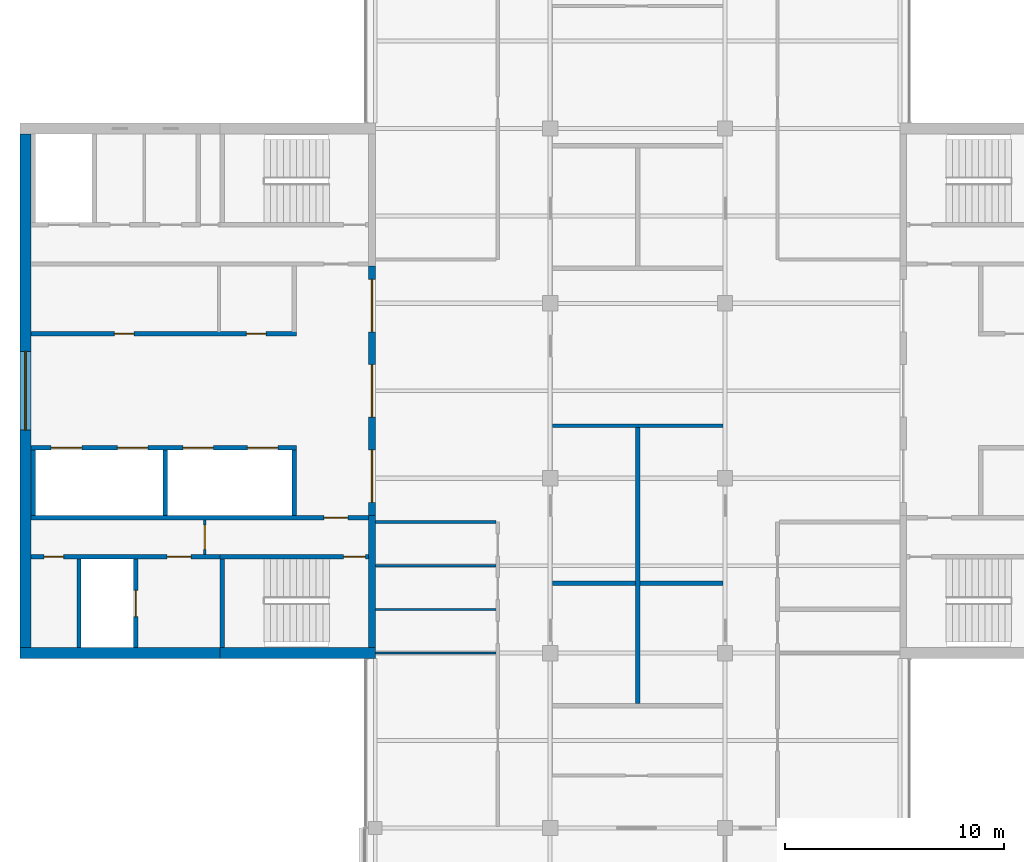
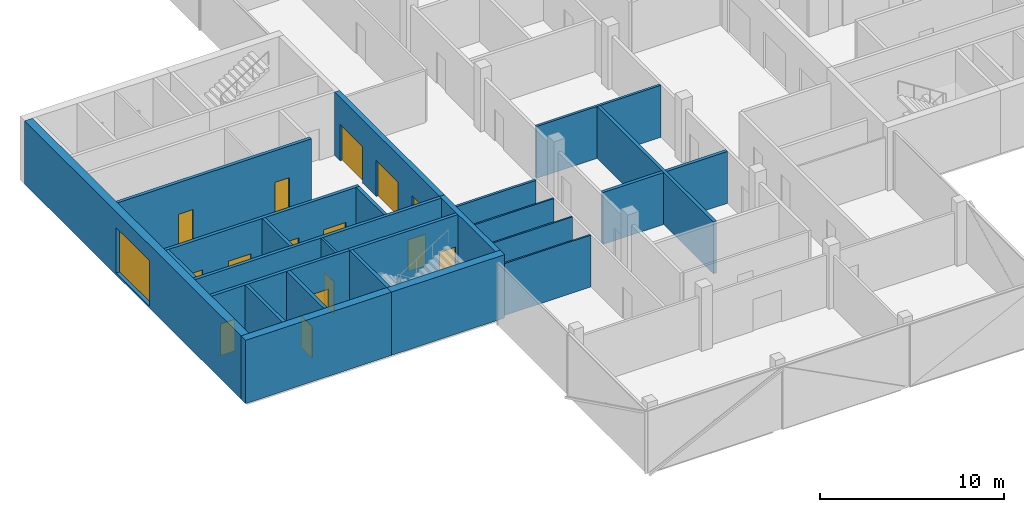
# One storey, part 9 of 16: 25 walls, 15 doors, 1 window, 16 openings.
"""IFC4 building model written with IfcOpenShell, lengths in metres."""

from ifc_helpers import new_model, si_unit, direction, frame, frame_2d, origin, place, context, subcontext, project, spatial, rectangle, extrude, material, layer, layer_set, constituent, constituent_set, type_object, element, fill, save


model = new_model("IFC4")

# Units and contexts
model_context = context("Model", 3, precision=1e-05, world=origin(), true_north=direction((0.0, 1.0)))
body_context = subcontext(model_context, "Body", "Model", "MODEL_VIEW")
ifc_project = project(units=[si_unit("LENGTHUNIT", "METRE"), si_unit("AREAUNIT", "SQUARE_METRE"), si_unit("VOLUMEUNIT", "CUBIC_METRE"), si_unit("PLANEANGLEUNIT", "RADIAN"), si_unit("MASSUNIT", "GRAM", prefix="KILO")], contexts=[model_context])

# Site, building, storey
site_placement = place(None, origin())
site = spatial("IfcSite", under=ifc_project, at=site_placement, CompositionType="ELEMENT")
building_placement = place(site_placement, origin())
building = spatial("IfcBuilding", under=site, at=building_placement, Name="Crosswind Convention Tower", CompositionType="ELEMENT")
storey_placement = place(building_placement, frame((0.0, 0.0, 282.89990234375)))
storey = spatial("IfcBuildingStorey", under=building, at=storey_placement, Name="L61", CompositionType="ELEMENT", Elevation=282.89990234375)

# Walls
ifc_material_1 = material(Name="Concrete blockwork", Category="masonry")
ifc_layer_1 = layer(ifc_material_1, 0.199951171875)
ifc_layer_set_1 = layer_set([ifc_layer_1], Name="COMPARTMENT WALL 200 BLOCKWORK")
wall_type_1 = type_object("IfcWallType", Name="COMPARTMENT WALL 200 BLOCKWORK", PredefinedType="SOLIDWALL", material=ifc_layer_set_1)
wall_1_placement = place(storey_placement, frame((125.0, 85.699951171875, 0.0), z_axis=(0.0, 0.0, 1.0), x_axis=(0.0, 1.0, 0.0)))
element("IfcWall", 1, at=wall_1_placement, inside=storey, type_object=wall_type_1, Name="Compartment wall WT42", PredefinedType="SOLIDWALL", context=body_context, shape_type="SweptSolid", body=[
    extrude(rectangle(XDim=12.625, YDim=0.199951171875, at=frame_2d((6.3125, 0.0))), origin(), (0.0, 0.0, 1.0), 3.44287109375),
])
for number, where, z_axis, x_axis, name in (
    (2, (121.10009765625, 91.199951171875, 0.0), (0.0, 0.0, 1.0), (1.0, 0.0, 0.0), "Compartment wall WT42"),
    (3, (125.10009765625, 91.199951171875, 0.0), (0.0, 0.0, 1.0), (1.0, 0.0, 0.0), "Compartment wall WT42"),
):
    element("IfcWall", number, at=place(storey_placement, frame(where, z_axis=z_axis, x_axis=x_axis)), inside=storey, type_object=wall_type_1, Name=name, PredefinedType="SOLIDWALL", context=body_context, shape_type="SweptSolid", body=[
        extrude(rectangle(XDim=3.7998046875, YDim=0.199951171875, at=frame_2d((1.89990234375, 0.0))), origin(), (0.0, 0.0, 1.0), 3.44287109375),
    ])

# Wall, openings, doors
ifc_material_2 = material(Name="Concrete C50/60", Category="concrete")
ifc_layer_2 = layer(ifc_material_2, 0.300048828125)
ifc_layer_set_2 = layer_set([ifc_layer_2], Name="Concrete C50/60")
wall_type_2 = type_object("IfcWallType", Name="Concrete inner core wall 300", PredefinedType="SHEAR", material=ifc_layer_set_2)
wall_2_placement = place(storey_placement, frame((112.85009765625, 105.699951171875, 0.0), z_axis=(0.0, 0.0, 1.0), x_axis=(0.0, -1.0, 0.0)))
wall_2 = element("IfcWall", 4, at=wall_2_placement, inside=storey, type_object=wall_type_2, Name="Wall SCR W L61", PredefinedType="SHEAR", context=body_context, shape_type="SweptSolid", body=[
    extrude(rectangle(XDim=11.39990234375, YDim=0.300048828125, at=frame_2d((5.699951171875, 0.0))), origin(), (0.0, 0.0, 1.0), 4.2001953125),
])
opening_1_placement = place(wall_2_placement, frame((0.60009765625, 0.0, 0.0)))
opening_1 = element("IfcOpeningElement", 5, at=opening_1_placement, cuts=wall_2, Name="Opening D100", PredefinedType="OPENING", context=body_context, shape_type="SweptSolid", body=[
    extrude(rectangle(XDim=2.39990234375, YDim=2.39990234375, at=frame_2d((1.199951171875, 1.199951171875))), frame((0.0, 0.159912109375, 0.0), z_axis=(0.0, -1.0, 0.0), x_axis=(1.0, 0.0, 0.0)), (0.0, 0.0, 1.0), 0.320068359375),
])
opening_2_placement = place(wall_2_placement, frame((4.5, 0.0, 0.0)))
opening_2 = element("IfcOpeningElement", 6, at=opening_2_placement, cuts=wall_2, Name="Opening D100", PredefinedType="OPENING", context=body_context, shape_type="SweptSolid", body=[
    extrude(rectangle(XDim=2.39990234375, YDim=2.39990234375, at=frame_2d((1.199951171875, 1.199951171875))), frame((0.0, 0.159912109375, 0.0), z_axis=(0.0, -1.0, 0.0), x_axis=(1.0, 0.0, 0.0)), (0.0, 0.0, 1.0), 0.320068359375),
])
opening_3_placement = place(wall_2_placement, frame((8.39990234375, 0.0, 0.0)))
opening_3 = element("IfcOpeningElement", 7, at=opening_3_placement, cuts=wall_2, Name="Opening D100", PredefinedType="OPENING", context=body_context, shape_type="SweptSolid", body=[
    extrude(rectangle(XDim=2.39990234375, YDim=2.39990234375, at=frame_2d((1.199951171875, 1.199951171875))), frame((0.0, 0.159912109375, 0.0), z_axis=(0.0, -1.0, 0.0), x_axis=(1.0, 0.0, 0.0)), (0.0, 0.0, 1.0), 0.320068359375),
])
ifc_material_3 = material(Name="Steel fire door with glazed vision panels", Category="steel")
door_type_1 = type_object("IfcDoorType", Name="Fire-rated double door 2400x2400", OperationType="DOUBLE_DOOR_SINGLE_SWING", PredefinedType="DOOR", material=ifc_material_3)
door_1_placement = place(opening_1_placement, origin())
door_1 = element("IfcDoor", 8, at=door_1_placement, inside=storey, type_object=door_type_1, Name="Lobby door 1 L61", ObjectType="D100", OperationType="DOUBLE_DOOR_SINGLE_SWING", OverallHeight=2.39990234375, OverallWidth=2.39990234375, PredefinedType="DOOR", context=body_context, shape_type="SweptSolid", body=[
    extrude(rectangle(XDim=2.39990234375, YDim=2.39990234375, at=frame_2d((1.199951171875, 1.199951171875))), frame((0.0, 0.02490234375, 0.0), z_axis=(0.0, -1.0, 0.0), x_axis=(1.0, 0.0, 0.0)), (0.0, 0.0, 1.0), 0.050048828125),
])
fill(opening_1, door_1)
door_2_placement = place(opening_2_placement, origin())
door_2 = element("IfcDoor", 9, at=door_2_placement, inside=storey, type_object=door_type_1, Name="Lobby door 2 L61", ObjectType="D100", OperationType="DOUBLE_DOOR_SINGLE_SWING", OverallHeight=2.39990234375, OverallWidth=2.39990234375, PredefinedType="DOOR", context=body_context, shape_type="SweptSolid", body=[
    extrude(rectangle(XDim=2.39990234375, YDim=2.39990234375, at=frame_2d((1.199951171875, 1.199951171875))), frame((0.0, 0.02490234375, 0.0), z_axis=(0.0, -1.0, 0.0), x_axis=(1.0, 0.0, 0.0)), (0.0, 0.0, 1.0), 0.050048828125),
])
fill(opening_2, door_2)
door_3_placement = place(opening_3_placement, origin())
door_3 = element("IfcDoor", 10, at=door_3_placement, inside=storey, type_object=door_type_1, Name="Lobby door 3 L61", ObjectType="D100", OperationType="DOUBLE_DOOR_SINGLE_SWING", OverallHeight=2.39990234375, OverallWidth=2.39990234375, PredefinedType="DOOR", context=body_context, shape_type="SweptSolid", body=[
    extrude(rectangle(XDim=2.39990234375, YDim=2.39990234375, at=frame_2d((1.199951171875, 1.199951171875))), frame((0.0, 0.02490234375, 0.0), z_axis=(0.0, -1.0, 0.0), x_axis=(1.0, 0.0, 0.0)), (0.0, 0.0, 1.0), 0.050048828125),
])
fill(opening_3, door_3)

# Walls
wall_3_placement = place(storey_placement, frame((112.85009765625, 94.300048828125, 0.0), z_axis=(0.0, 0.0, 1.0), x_axis=(0.0, -1.0, 0.0)))
element("IfcWall", 11, at=wall_3_placement, inside=storey, type_object=wall_type_2, Name="Wall EP W L61", PredefinedType="SHEAR", context=body_context, shape_type="SweptSolid", body=[
    extrude(rectangle(XDim=6.050048828125, YDim=0.300048828125, at=frame_2d((3.02490234375, 0.0))), origin(), (0.0, 0.0, 1.0), 4.2001953125),
])
ifc_layer_3 = layer(ifc_material_2, 0.199951171875)
ifc_layer_set_3 = layer_set([ifc_layer_3], Name="Concrete C50/60")
wall_type_3 = type_object("IfcWallType", Name="Concrete shaft and stair wall 200", PredefinedType="SHEAR", material=ifc_layer_set_3)
for number, where, z_axis, x_axis, name in (
    (12, (109.300048828125, 97.300048828125, 0.0), (0.0, 0.0, 1.0), (0.0, -1.0, 0.0), "Wall RPEND W L61"),
    (13, (103.39990234375, 97.300048828125, 0.0), (0.0, 0.0, 1.0), (0.0, -1.0, 0.0), "Wall RPSEP W L61"),
    (14, (97.35009765625, 97.300048828125, 0.0), (0.0, 0.0, 1.0), (0.0, -1.0, 0.0), "Wall RPEAST W L61"),
):
    element("IfcWall", number, at=place(storey_placement, frame(where, z_axis=z_axis, x_axis=x_axis)), inside=storey, type_object=wall_type_3, Name=name, PredefinedType="SHEAR", context=body_context, shape_type="SweptSolid", body=[
        extrude(rectangle(XDim=3.0, YDim=0.199951171875, at=frame_2d((1.5, 0.0))), origin(), (0.0, 0.0, 1.0), 4.2001953125),
    ])

# Wall, openings, doors
wall_4_placement = place(storey_placement, frame((109.39990234375, 97.39990234375, 0.0), z_axis=(0.0, 0.0, 1.0), x_axis=(-1.0, 0.0, 0.0)))
wall_4 = element("IfcWall", 15, at=wall_4_placement, inside=storey, type_object=wall_type_3, Name="Wall RPFRONT W L61", PredefinedType="SHEAR", context=body_context, shape_type="SweptSolid", body=[
    extrude(rectangle(XDim=12.14990234375, YDim=0.199951171875, at=frame_2d((6.074951171875, 0.0))), origin(), (0.0, 0.0, 1.0), 4.2001953125),
])
opening_4_placement = place(wall_4_placement, frame((0.85009765625, 0.0, 0.0)))
opening_4 = element("IfcOpeningElement", 16, at=opening_4_placement, cuts=wall_4, Name="Opening LD2", PredefinedType="OPENING", context=body_context, shape_type="SweptSolid", body=[
    extrude(rectangle(XDim=1.39990234375, YDim=2.10009765625, at=frame_2d((0.699951171875, 1.050048828125))), frame((0.0, 0.10986328125, 0.0), z_axis=(0.0, -1.0, 0.0), x_axis=(1.0, 0.0, 0.0)), (0.0, 0.0, 1.0), 0.219970703125),
])
opening_5_placement = place(wall_4_placement, frame((3.800048828125, 0.0, 0.0)))
opening_5 = element("IfcOpeningElement", 17, at=opening_5_placement, cuts=wall_4, Name="Opening LD2", PredefinedType="OPENING", context=body_context, shape_type="SweptSolid", body=[
    extrude(rectangle(XDim=1.39990234375, YDim=2.10009765625, at=frame_2d((0.699951171875, 1.050048828125))), frame((0.0, 0.10986328125, 0.0), z_axis=(0.0, -1.0, 0.0), x_axis=(1.0, 0.0, 0.0)), (0.0, 0.0, 1.0), 0.219970703125),
])
opening_6_placement = place(wall_4_placement, frame((6.800048828125, 0.0, 0.0)))
opening_6 = element("IfcOpeningElement", 18, at=opening_6_placement, cuts=wall_4, Name="Opening LD2", PredefinedType="OPENING", context=body_context, shape_type="SweptSolid", body=[
    extrude(rectangle(XDim=1.39990234375, YDim=2.10009765625, at=frame_2d((0.699951171875, 1.050048828125))), frame((0.0, 0.10986328125, 0.0), z_axis=(0.0, -1.0, 0.0), x_axis=(1.0, 0.0, 0.0)), (0.0, 0.0, 1.0), 0.219970703125),
])
opening_7_placement = place(wall_4_placement, frame((9.824951171875, 0.0, 0.0)))
opening_7 = element("IfcOpeningElement", 19, at=opening_7_placement, cuts=wall_4, Name="Opening LD2", PredefinedType="OPENING", context=body_context, shape_type="SweptSolid", body=[
    extrude(rectangle(XDim=1.39990234375, YDim=2.10009765625, at=frame_2d((0.699951171875, 1.050048828125))), frame((0.0, 0.10986328125, 0.0), z_axis=(0.0, -1.0, 0.0), x_axis=(1.0, 0.0, 0.0)), (0.0, 0.0, 1.0), 0.219970703125),
])
ifc_material_4 = material(Name="Stainless steel", Category="steel")
door_type_2 = type_object("IfcDoorType", Name="Lift landing door 1400x2100", OperationType="DOUBLE_DOOR_SLIDING", PredefinedType="DOOR", material=ifc_material_4)
door_4_placement = place(opening_4_placement, origin())
door_4 = element("IfcDoor", 20, at=door_4_placement, inside=storey, type_object=door_type_2, Name="Landing door HR1 L61", ObjectType="LD2", OperationType="DOUBLE_DOOR_SLIDING", OverallHeight=2.10009765625, OverallWidth=1.39990234375, PredefinedType="DOOR", context=body_context, shape_type="SweptSolid", body=[
    extrude(rectangle(XDim=1.39990234375, YDim=2.10009765625, at=frame_2d((0.699951171875, 1.050048828125))), frame((0.0, 0.02490234375, 0.0), z_axis=(0.0, -1.0, 0.0), x_axis=(1.0, 0.0, 0.0)), (0.0, 0.0, 1.0), 0.050048828125),
])
fill(opening_4, door_4)
door_5_placement = place(opening_5_placement, origin())
door_5 = element("IfcDoor", 21, at=door_5_placement, inside=storey, type_object=door_type_2, Name="Landing door HR2 L61", ObjectType="LD2", OperationType="DOUBLE_DOOR_SLIDING", OverallHeight=2.10009765625, OverallWidth=1.39990234375, PredefinedType="DOOR", context=body_context, shape_type="SweptSolid", body=[
    extrude(rectangle(XDim=1.39990234375, YDim=2.10009765625, at=frame_2d((0.699951171875, 1.050048828125))), frame((0.0, 0.02490234375, 0.0), z_axis=(0.0, -1.0, 0.0), x_axis=(1.0, 0.0, 0.0)), (0.0, 0.0, 1.0), 0.050048828125),
])
fill(opening_5, door_5)
door_6_placement = place(opening_6_placement, origin())
door_6 = element("IfcDoor", 22, at=door_6_placement, inside=storey, type_object=door_type_2, Name="Landing door HR3 L61", ObjectType="LD2", OperationType="DOUBLE_DOOR_SLIDING", OverallHeight=2.10009765625, OverallWidth=1.39990234375, PredefinedType="DOOR", context=body_context, shape_type="SweptSolid", body=[
    extrude(rectangle(XDim=1.39990234375, YDim=2.10009765625, at=frame_2d((0.699951171875, 1.050048828125))), frame((0.0, 0.02490234375, 0.0), z_axis=(0.0, -1.0, 0.0), x_axis=(1.0, 0.0, 0.0)), (0.0, 0.0, 1.0), 0.050048828125),
])
fill(opening_6, door_6)
door_7_placement = place(opening_7_placement, origin())
door_7 = element("IfcDoor", 23, at=door_7_placement, inside=storey, type_object=door_type_2, Name="Landing door HR4 L61", ObjectType="LD2", OperationType="DOUBLE_DOOR_SLIDING", OverallHeight=2.10009765625, OverallWidth=1.39990234375, PredefinedType="DOOR", context=body_context, shape_type="SweptSolid", body=[
    extrude(rectangle(XDim=1.39990234375, YDim=2.10009765625, at=frame_2d((0.699951171875, 1.050048828125))), frame((0.0, 0.02490234375, 0.0), z_axis=(0.0, -1.0, 0.0), x_axis=(1.0, 0.0, 0.0)), (0.0, 0.0, 1.0), 0.050048828125),
])
fill(opening_7, door_7)

wall_5_placement = place(storey_placement, frame((109.39990234375, 102.60009765625, 0.0), z_axis=(0.0, 0.0, 1.0), x_axis=(-1.0, 0.0, 0.0)))
wall_5 = element("IfcWall", 24, at=wall_5_placement, inside=storey, type_object=wall_type_3, Name="Wall RMFRONT W L61", PredefinedType="SHEAR", context=body_context, shape_type="SweptSolid", body=[
    extrude(rectangle(XDim=12.14990234375, YDim=0.199951171875, at=frame_2d((6.074951171875, 0.0))), origin(), (0.0, 0.0, 1.0), 4.2001953125),
])
opening_8_placement = place(wall_5_placement, frame((1.391845703125, 0.0, 0.0)))
opening_8 = element("IfcOpeningElement", 25, at=opening_8_placement, cuts=wall_5, Name="Opening D106", PredefinedType="OPENING", context=body_context, shape_type="SweptSolid", body=[
    extrude(rectangle(XDim=0.89990234375, YDim=2.10009765625, at=frame_2d((0.449951171875, 1.050048828125))), frame((0.0, 0.10986328125, 0.0), z_axis=(0.0, -1.0, 0.0), x_axis=(1.0, 0.0, 0.0)), (0.0, 0.0, 1.0), 0.219970703125),
])
opening_9_placement = place(wall_5_placement, frame((7.42919921875, 0.0, 0.0)))
opening_9 = element("IfcOpeningElement", 26, at=opening_9_placement, cuts=wall_5, Name="Opening D106", PredefinedType="OPENING", context=body_context, shape_type="SweptSolid", body=[
    extrude(rectangle(XDim=0.89990234375, YDim=2.10009765625, at=frame_2d((0.449951171875, 1.050048828125))), frame((0.0, 0.10986328125, 0.0), z_axis=(0.0, -1.0, 0.0), x_axis=(1.0, 0.0, 0.0)), (0.0, 0.0, 1.0), 0.219970703125),
])
ifc_material_5 = material(Name="Timber door", Category="wood")
door_type_3 = type_object("IfcDoorType", Name="Single leaf door 900x2100", OperationType="NOTDEFINED", PredefinedType="DOOR", material=ifc_material_5)
door_8_placement = place(opening_8_placement, frame((0.89990234375, 0.0, 0.0), z_axis=(0.0, 0.0, 1.0), x_axis=(-1.0, 0.0, 0.0)))
door_8 = element("IfcDoor", 27, at=door_8_placement, inside=storey, type_object=door_type_3, Name="Door to storeroom L61", ObjectType="D106", OperationType="SINGLE_SWING_LEFT", OverallHeight=2.10009765625, OverallWidth=0.89990234375, PredefinedType="DOOR", context=body_context, shape_type="SweptSolid", body=[
    extrude(rectangle(XDim=0.89990234375, YDim=2.10009765625, at=frame_2d((0.449951171875, 1.050048828125))), frame((0.0, 0.02490234375, 0.0), z_axis=(0.0, -1.0, 0.0), x_axis=(1.0, 0.0, 0.0)), (0.0, 0.0, 1.0), 0.050048828125),
])
fill(opening_8, door_8)
door_9_placement = place(opening_9_placement, frame((0.89990234375, 0.0, 0.0), z_axis=(0.0, 0.0, 1.0), x_axis=(-1.0, 0.0, 0.0)))
door_9 = element("IfcDoor", 28, at=door_9_placement, inside=storey, type_object=door_type_3, Name="Door to tenant services room L61", ObjectType="D106", OperationType="SINGLE_SWING_LEFT", OverallHeight=2.10009765625, OverallWidth=0.89990234375, PredefinedType="DOOR", context=body_context, shape_type="SweptSolid", body=[
    extrude(rectangle(XDim=0.89990234375, YDim=2.10009765625, at=frame_2d((0.449951171875, 1.050048828125))), frame((0.0, 0.02490234375, 0.0), z_axis=(0.0, -1.0, 0.0), x_axis=(1.0, 0.0, 0.0)), (0.0, 0.0, 1.0), 0.050048828125),
])
fill(opening_9, door_9)

# Wall, opening, door
wall_6_placement = place(storey_placement, frame((112.699951171875, 94.199951171875, 0.0), z_axis=(0.0, 0.0, 1.0), x_axis=(-1.0, 0.0, 0.0)))
wall_6 = element("IfcWall", 29, at=wall_6_placement, inside=storey, type_object=wall_type_3, Name="Wall HP W L61", PredefinedType="SHEAR", context=body_context, shape_type="SweptSolid", body=[
    extrude(rectangle(XDim=15.449951171875, YDim=0.199951171875, at=frame_2d((7.72509765625, 0.0))), origin(), (0.0, 0.0, 1.0), 4.2001953125),
])
opening_10_placement = place(wall_6_placement, frame((0.949951171875, 0.0, 0.0)))
opening_10 = element("IfcOpeningElement", 30, at=opening_10_placement, cuts=wall_6, Name="Opening D104", PredefinedType="OPENING", context=body_context, shape_type="SweptSolid", body=[
    extrude(rectangle(XDim=1.10009765625, YDim=2.10009765625, at=frame_2d((0.550048828125, 1.050048828125))), frame((0.0, 0.10986328125, 0.0), z_axis=(0.0, -1.0, 0.0), x_axis=(1.0, 0.0, 0.0)), (0.0, 0.0, 1.0), 0.219970703125),
])
ifc_material_6 = material(Name="Steel fire door", Category="steel")
door_type_4 = type_object("IfcDoorType", Name="Fire-rated single door 1100x2100", OperationType="NOTDEFINED", PredefinedType="DOOR", material=ifc_material_6)
door_10_placement = place(opening_10_placement, origin())
door_10 = element("IfcDoor", 31, at=door_10_placement, inside=storey, type_object=door_type_4, Name="Corridor door L61", ObjectType="D104", OperationType="SINGLE_SWING_LEFT", OverallHeight=2.10009765625, OverallWidth=1.10009765625, PredefinedType="DOOR", context=body_context, shape_type="SweptSolid", body=[
    extrude(rectangle(XDim=1.10009765625, YDim=2.10009765625, at=frame_2d((0.550048828125, 1.050048828125))), frame((0.0, 0.02490234375, 0.0), z_axis=(0.0, -1.0, 0.0), x_axis=(1.0, 0.0, 0.0)), (0.0, 0.0, 1.0), 0.050048828125),
])
fill(opening_10, door_10)

# Wall
wall_7_placement = place(storey_placement, frame((106.0, 92.300048828125, 0.0), z_axis=(0.0, 0.0, 1.0), x_axis=(0.0, -1.0, 0.0)))
element("IfcWall", 32, at=wall_7_placement, inside=storey, type_object=wall_type_3, Name="Wall PSE W L61", PredefinedType="SHEAR", context=body_context, shape_type="SweptSolid", body=[
    extrude(rectangle(XDim=4.050048828125, YDim=0.199951171875, at=frame_2d((2.02490234375, 0.0))), origin(), (0.0, 0.0, 1.0), 4.2001953125),
])

# Wall, opening, door
wall_8_placement = place(storey_placement, frame((102.050048828125, 92.300048828125, 0.0), z_axis=(0.0, 0.0, 1.0), x_axis=(0.0, -1.0, 0.0)))
wall_8 = element("IfcWall", 33, at=wall_8_placement, inside=storey, type_object=wall_type_3, Name="Wall PFLW W L61", PredefinedType="SHEAR", context=body_context, shape_type="SweptSolid", body=[
    extrude(rectangle(XDim=4.050048828125, YDim=0.199951171875, at=frame_2d((2.02490234375, 0.0))), origin(), (0.0, 0.0, 1.0), 4.2001953125),
])
opening_11_placement = place(wall_8_placement, frame((1.425048828125, 0.0, 0.0)))
opening_11 = element("IfcOpeningElement", 34, at=opening_11_placement, cuts=wall_8, Name="Opening LD1", PredefinedType="OPENING", context=body_context, shape_type="SweptSolid", body=[
    extrude(rectangle(XDim=1.199951171875, YDim=2.10009765625, at=frame_2d((0.60009765625, 1.050048828125))), frame((0.0, 0.10986328125, 0.0), z_axis=(0.0, -1.0, 0.0), x_axis=(1.0, 0.0, 0.0)), (0.0, 0.0, 1.0), 0.219970703125),
])
door_type_5 = type_object("IfcDoorType", Name="Lift landing door 1200x2100", OperationType="DOUBLE_DOOR_SLIDING", PredefinedType="DOOR", material=ifc_material_4)
door_11_placement = place(opening_11_placement, origin())
door_11 = element("IfcDoor", 35, at=door_11_placement, inside=storey, type_object=door_type_5, Name="Landing door FF2 L61", ObjectType="LD1", OperationType="DOUBLE_DOOR_SLIDING", OverallHeight=2.10009765625, OverallWidth=1.199951171875, PredefinedType="DOOR", context=body_context, shape_type="SweptSolid", body=[
    extrude(rectangle(XDim=1.199951171875, YDim=2.10009765625, at=frame_2d((0.60009765625, 1.050048828125))), frame((0.0, 0.02490234375, 0.0), z_axis=(0.0, -1.0, 0.0), x_axis=(1.0, 0.0, 0.0)), (0.0, 0.0, 1.0), 0.050048828125),
])
fill(opening_11, door_11)

# Wall
wall_9_placement = place(storey_placement, frame((99.449951171875, 92.300048828125, 0.0), z_axis=(0.0, 0.0, 1.0), x_axis=(0.0, -1.0, 0.0)))
element("IfcWall", 36, at=wall_9_placement, inside=storey, type_object=wall_type_3, Name="Wall PFSE W L61", PredefinedType="SHEAR", context=body_context, shape_type="SweptSolid", body=[
    extrude(rectangle(XDim=4.050048828125, YDim=0.199951171875, at=frame_2d((2.02490234375, 0.0))), origin(), (0.0, 0.0, 1.0), 4.2001953125),
])

# Wall, opening, door
wall_10_placement = place(storey_placement, frame((112.699951171875, 92.39990234375, 0.0), z_axis=(0.0, 0.0, 1.0), x_axis=(-1.0, 0.0, 0.0)))
wall_10 = element("IfcWall", 37, at=wall_10_placement, inside=storey, type_object=wall_type_3, Name="Wall PCW W L61", PredefinedType="SHEAR", context=body_context, shape_type="SweptSolid", body=[
    extrude(rectangle(XDim=6.800048828125, YDim=0.199951171875, at=frame_2d((3.39990234375, 0.0))), origin(), (0.0, 0.0, 1.0), 4.2001953125),
])
opening_12_placement = place(wall_10_placement, frame((0.14990234375, 0.0, 0.0)))
opening_12 = element("IfcOpeningElement", 38, at=opening_12_placement, cuts=wall_10, Name="Opening D103", PredefinedType="OPENING", context=body_context, shape_type="SweptSolid", body=[
    extrude(rectangle(XDim=1.0, YDim=2.10009765625, at=frame_2d((0.5, 1.050048828125))), frame((0.0, 0.10986328125, 0.0), z_axis=(0.0, -1.0, 0.0), x_axis=(1.0, 0.0, 0.0)), (0.0, 0.0, 1.0), 0.219970703125),
])
door_type_6 = type_object("IfcDoorType", Name="Fire-rated single door 1000x2100", OperationType="NOTDEFINED", PredefinedType="DOOR", material=ifc_material_6)
door_12_placement = place(opening_12_placement, origin())
door_12 = element("IfcDoor", 39, at=door_12_placement, inside=storey, type_object=door_type_6, Name="Stair ST3 door L61", ObjectType="D103", OperationType="SINGLE_SWING_LEFT", OverallHeight=2.10009765625, OverallWidth=1.0, PredefinedType="DOOR", context=body_context, shape_type="SweptSolid", body=[
    extrude(rectangle(XDim=1.0, YDim=2.10009765625, at=frame_2d((0.5, 1.050048828125))), frame((0.0, 0.02490234375, 0.0), z_axis=(0.0, -1.0, 0.0), x_axis=(1.0, 0.0, 0.0)), (0.0, 0.0, 1.0), 0.050048828125),
])
fill(opening_12, door_12)

# Wall, openings, doors
wall_11_placement = place(storey_placement, frame((105.89990234375, 92.39990234375, 0.0), z_axis=(0.0, 0.0, 1.0), x_axis=(-1.0, 0.0, 0.0)))
wall_11 = element("IfcWall", 40, at=wall_11_placement, inside=storey, type_object=wall_type_3, Name="Wall PCX W L61", PredefinedType="SHEAR", context=body_context, shape_type="SweptSolid", body=[
    extrude(rectangle(XDim=8.64990234375, YDim=0.199951171875, at=frame_2d((4.324951171875, 0.0))), origin(), (0.0, 0.0, 1.0), 4.2001953125),
])
opening_13_placement = place(wall_11_placement, frame((1.324951171875, 0.0, 0.0)))
opening_13 = element("IfcOpeningElement", 41, at=opening_13_placement, cuts=wall_11, Name="Opening D104", PredefinedType="OPENING", context=body_context, shape_type="SweptSolid", body=[
    extrude(rectangle(XDim=1.10009765625, YDim=2.10009765625, at=frame_2d((0.550048828125, 1.050048828125))), frame((0.0, 0.10986328125, 0.0), z_axis=(0.0, -1.0, 0.0), x_axis=(1.0, 0.0, 0.0)), (0.0, 0.0, 1.0), 0.219970703125),
])
opening_14_placement = place(wall_11_placement, frame((7.14990234375, 0.0, 0.0)))
opening_14 = element("IfcOpeningElement", 42, at=opening_14_placement, cuts=wall_11, Name="Opening D106", PredefinedType="OPENING", context=body_context, shape_type="SweptSolid", body=[
    extrude(rectangle(XDim=0.89990234375, YDim=2.10009765625, at=frame_2d((0.449951171875, 1.050048828125))), frame((0.0, 0.10986328125, 0.0), z_axis=(0.0, -1.0, 0.0), x_axis=(1.0, 0.0, 0.0)), (0.0, 0.0, 1.0), 0.219970703125),
])
door_13_placement = place(opening_13_placement, origin())
door_13 = element("IfcDoor", 43, at=door_13_placement, inside=storey, type_object=door_type_4, Name="Fire-fighting lobby FF2 door L61", ObjectType="D104", OperationType="SINGLE_SWING_RIGHT", OverallHeight=2.10009765625, OverallWidth=1.10009765625, PredefinedType="DOOR", context=body_context, shape_type="SweptSolid", body=[
    extrude(rectangle(XDim=1.10009765625, YDim=2.10009765625, at=frame_2d((0.550048828125, 1.050048828125))), frame((0.0, 0.02490234375, 0.0), z_axis=(0.0, -1.0, 0.0), x_axis=(1.0, 0.0, 0.0)), (0.0, 0.0, 1.0), 0.050048828125),
])
fill(opening_13, door_13)
door_14_placement = place(opening_14_placement, origin())
door_14 = element("IfcDoor", 44, at=door_14_placement, inside=storey, type_object=door_type_3, Name="Door to electrical room L61", ObjectType="D106", OperationType="SINGLE_SWING_RIGHT", OverallHeight=2.10009765625, OverallWidth=0.89990234375, PredefinedType="DOOR", context=body_context, shape_type="SweptSolid", body=[
    extrude(rectangle(XDim=0.89990234375, YDim=2.10009765625, at=frame_2d((0.449951171875, 1.050048828125))), frame((0.0, 0.02490234375, 0.0), z_axis=(0.0, -1.0, 0.0), x_axis=(1.0, 0.0, 0.0)), (0.0, 0.0, 1.0), 0.050048828125),
])
fill(opening_14, door_14)

# Wall, opening, door
ifc_material_7 = material(Name="Gypsum plasterboard partition", Category="gypsum")
ifc_layer_4 = layer(ifc_material_7, 0.125)
ifc_layer_set_4 = layer_set([ifc_layer_4], Name="Drywall partition wall 125")
wall_type_4 = type_object("IfcWallType", Name="Drywall partition wall 125", PredefinedType="PARTITIONING", material=ifc_layer_set_4)
wall_12_placement = place(storey_placement, frame((105.199951171875, 94.10009765625, 0.0), z_axis=(0.0, 0.0, 1.0), x_axis=(0.0, -1.0, 0.0)))
wall_12 = element("IfcWall", 45, at=wall_12_placement, inside=storey, type_object=wall_type_4, Name="Wall PXC1 W L61", PredefinedType="PARTITIONING", context=body_context, shape_type="SweptSolid", body=[
    extrude(rectangle(XDim=1.60009765625, YDim=0.125, at=frame_2d((0.800048828125, 0.0))), origin(), (0.0, 0.0, 1.0), 4.2001953125),
])
opening_15_placement = place(wall_12_placement, frame((0.25, 0.0, 0.0)))
opening_15 = element("IfcOpeningElement", 46, at=opening_15_placement, cuts=wall_12, Name="Opening D104", PredefinedType="OPENING", context=body_context, shape_type="SweptSolid", body=[
    extrude(rectangle(XDim=1.10009765625, YDim=2.10009765625, at=frame_2d((0.550048828125, 1.050048828125))), frame((0.0, 0.072509765625, 0.0), z_axis=(0.0, -1.0, 0.0), x_axis=(1.0, 0.0, 0.0)), (0.0, 0.0, 1.0), 0.14501953125),
])
door_15_placement = place(opening_15_placement, origin())
door_15 = element("IfcDoor", 47, at=door_15_placement, inside=storey, type_object=door_type_4, Name="Corridor smoke door L61", ObjectType="D104", OperationType="SINGLE_SWING_RIGHT", OverallHeight=2.10009765625, OverallWidth=1.10009765625, PredefinedType="DOOR", context=body_context, shape_type="SweptSolid", body=[
    extrude(rectangle(XDim=1.10009765625, YDim=2.10009765625, at=frame_2d((0.550048828125, 1.050048828125))), frame((0.0, 0.02490234375, 0.0), z_axis=(0.0, -1.0, 0.0), x_axis=(1.0, 0.0, 0.0)), (0.0, 0.0, 1.0), 0.050048828125),
])
fill(opening_15, door_15)

# Walls
ifc_material_8 = material(Name="Plasterboard partition", Category="gypsum")
ifc_layer_5 = layer(ifc_material_8, 0.10009765625)
ifc_layer_set_5 = layer_set([ifc_layer_5], Name="PARTITION 100 METAL STUD")
wall_type_5 = type_object("IfcWallType", Name="PARTITION 100 METAL STUD", PredefinedType="PARTITIONING", material=ifc_layer_set_5)
for number, where, z_axis, x_axis, name in (
    (48, (113.0, 88.0, 0.0), (0.0, 0.0, 1.0), (1.0, 0.0, 0.0), "Partition wall WT40"),
    (49, (113.0, 90.0, 0.0), (0.0, 0.0, 1.0), (1.0, 0.0, 0.0), "Partition wall WT40"),
    (50, (113.0, 92.0, 0.0), (0.0, 0.0, 1.0), (1.0, 0.0, 0.0), "Partition wall WT40"),
):
    element("IfcWall", number, at=place(storey_placement, frame(where, z_axis=z_axis, x_axis=x_axis)), inside=storey, type_object=wall_type_5, Name=name, PredefinedType="PARTITIONING", context=body_context, shape_type="SweptSolid", body=[
        extrude(rectangle(XDim=5.52490234375, YDim=0.10009765625, at=frame_2d((2.762451171875, 0.0))), origin(), (0.0, 0.0, 1.0), 3.44287109375),
    ])
ifc_material_9 = material(Name="Fire-board partition with mineral wool", Category="gypsum")
ifc_layer_6 = layer(ifc_material_9, 0.14990234375)
ifc_layer_set_6 = layer_set([ifc_layer_6], Name="TENANCY WALL 150 TWO-HOUR BOARD")
wall_type_6 = type_object("IfcWallType", Name="TENANCY WALL 150 TWO-HOUR BOARD", PredefinedType="PARTITIONING", material=ifc_layer_set_6)
wall_13_placement = place(storey_placement, frame((113.0, 94.0, 0.0), z_axis=(0.0, 0.0, 1.0), x_axis=(1.0, 0.0, 0.0)))
element("IfcWall", 51, at=wall_13_placement, inside=storey, type_object=wall_type_6, Name="Tenancy wall WT41", PredefinedType="PARTITIONING", context=body_context, shape_type="SweptSolid", body=[
    extrude(rectangle(XDim=5.52490234375, YDim=0.14990234375, at=frame_2d((2.762451171875, 0.0))), origin(), (0.0, 0.0, 1.0), 3.44287109375),
])
wall_14_placement = place(storey_placement, frame((121.10009765625, 98.39990234375, 0.0), z_axis=(0.0, 0.0, 1.0), x_axis=(1.0, 0.0, 0.0)))
element("IfcWall", 52, at=wall_14_placement, inside=storey, type_object=wall_type_6, Name="Tenancy wall WT41", PredefinedType="PARTITIONING", context=body_context, shape_type="SweptSolid", body=[
    extrude(rectangle(XDim=7.7998046875, YDim=0.14990234375, at=frame_2d((3.89990234375, 0.0))), origin(), (0.0, 0.0, 1.0), 3.44287109375),
])
ifc_material_10 = material(Name="Concrete C60/75", Category="concrete")
ifc_constituent_1 = constituent(ifc_material_10, Name="Structure")
ifc_material_11 = material(Name="Terracotta rainscreen", Category="ceramic")
ifc_constituent_2 = constituent(ifc_material_11, Name="Facing")
ifc_constituent_set = constituent_set(constituents=[ifc_constituent_1, ifc_constituent_2], Name="Concrete C60/75, Terracotta rainscreen")
wall_type_7 = type_object("IfcWallType", Name="Terracotta rainscreen on concrete core wall 500", PredefinedType="SHEAR", material=ifc_constituent_set)
wall_15_placement = place(storey_placement, frame((113.0, 88.0, 0.0), z_axis=(0.0, 0.0, 1.0), x_axis=(-1.0, 0.0, 0.0)))
element("IfcWall", 53, at=wall_15_placement, inside=storey, type_object=wall_type_7, Name="Wall N1 W L61", PredefinedType="SHEAR", context=body_context, shape_type="SweptSolid", body=[
    extrude(rectangle(XDim=7.10009765625, YDim=0.5, at=frame_2d((3.550048828125, 0.0))), origin(), (0.0, 0.0, 1.0), 4.2001953125),
])
wall_16_placement = place(storey_placement, frame((105.89990234375, 88.0, 0.0), z_axis=(0.0, 0.0, 1.0), x_axis=(-1.0, 0.0, 0.0)))
element("IfcWall", 54, at=wall_16_placement, inside=storey, type_object=wall_type_7, Name="Wall N2 W L61", PredefinedType="SHEAR", context=body_context, shape_type="SweptSolid", body=[
    extrude(rectangle(XDim=9.14990234375, YDim=0.5, at=frame_2d((4.574951171875, 0.0))), origin(), (0.0, 0.0, 1.0), 4.2001953125),
])

# Wall, opening, window
wall_17_placement = place(storey_placement, frame((97.0, 111.75, 0.0), z_axis=(0.0, 0.0, 1.0), x_axis=(0.0, -1.0, 0.0)))
wall_17 = element("IfcWall", 55, at=wall_17_placement, inside=storey, type_object=wall_type_7, Name="Wall O W L61", PredefinedType="SHEAR", context=body_context, shape_type="SweptSolid", body=[
    extrude(rectangle(XDim=23.5, YDim=0.5, at=frame_2d((11.75, 0.0))), origin(), (0.0, 0.0, 1.0), 4.2001953125),
])
opening_16_placement = place(wall_17_placement, frame((9.949951171875, 0.0, 0.14990234375)))
opening_16 = element("IfcOpeningElement", 56, at=opening_16_placement, cuts=wall_17, Name="Opening W1", PredefinedType="OPENING", context=body_context, shape_type="SweptSolid", body=[
    extrude(rectangle(XDim=3.60009765625, YDim=3.0, at=frame_2d((1.800048828125, 1.5))), frame((0.0, 0.260009765625, 0.0), z_axis=(0.0, -1.0, 0.0), x_axis=(1.0, 0.0, 0.0)), (0.0, 0.0, 1.0), 0.52001953125),
])
ifc_material_12 = material(Name="Clear laminated glass in aluminium frame", Category="aluminium")
window_type = type_object("IfcWindowType", Name="Lobby end window 3600x3000", PartitioningType="SINGLE_PANEL", PredefinedType="WINDOW", material=ifc_material_12)
window_placement = place(opening_16_placement, origin())
window = element("IfcWindow", 57, at=window_placement, inside=storey, type_object=window_type, Name="Lobby end window L61", ObjectType="W1", OverallHeight=3.0, OverallWidth=3.60009765625, PartitioningType="SINGLE_PANEL", PredefinedType="WINDOW", context=body_context, shape_type="SweptSolid", body=[
    extrude(rectangle(XDim=3.60009765625, YDim=3.0, at=frame_2d((1.800048828125, 1.5))), frame((0.0, 0.030029296875, 0.0), z_axis=(0.0, -1.0, 0.0), x_axis=(1.0, 0.0, 0.0)), (0.0, 0.0, 1.0), 0.06005859375),
])
fill(opening_16, window)

save(model, "model.ifc")
